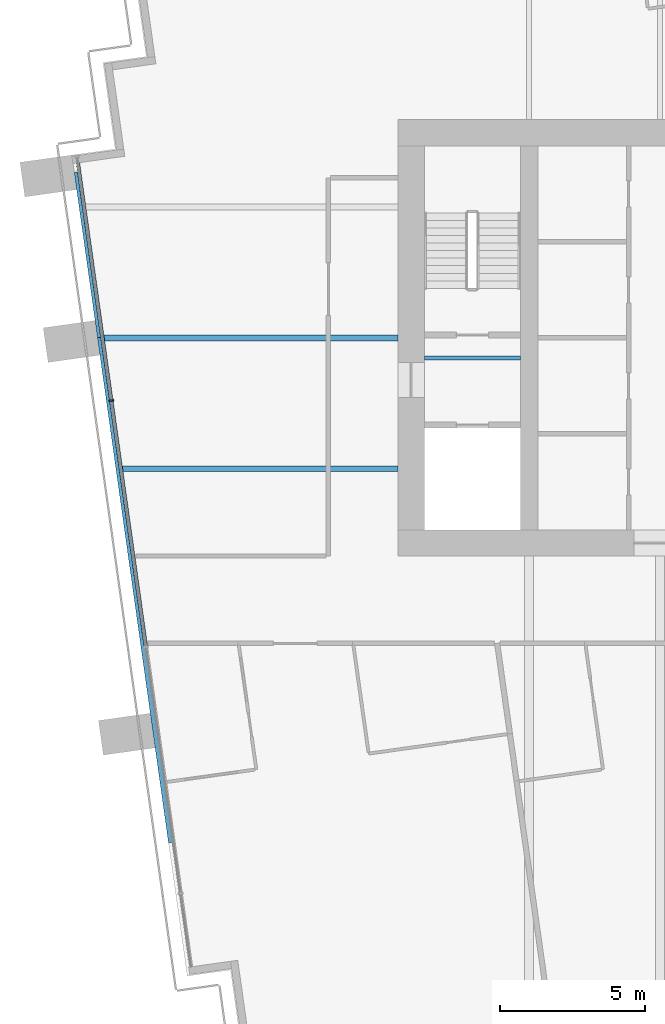
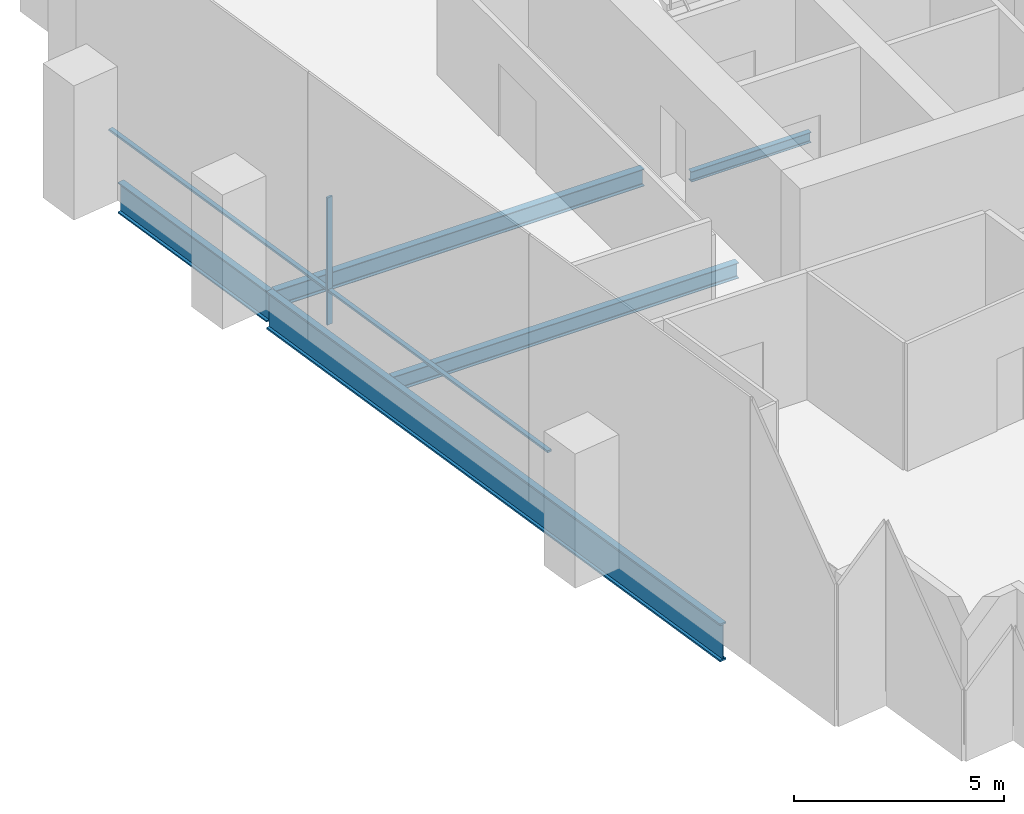
# One storey, part 3 of 17: 5 beams, 3 members, 1 element without a shape of its own.
"""IFC4 building model written with IfcOpenShell, lengths in metres."""

from ifc_helpers import new_model, si_unit, direction, frame, origin, origin_2d, place, context, subcontext, project, spatial, rectangle, i_section, extrude, material, material_profile, profile_set, type_object, element, aggregate, save


model = new_model("IFC4")

# Units and contexts
model_context = context("Model", 3, precision=1e-05, world=origin(), true_north=direction((0.0, 1.0)))
body_context = subcontext(model_context, "Body", "Model", "MODEL_VIEW")
ifc_project = project(units=[si_unit("LENGTHUNIT", "METRE"), si_unit("AREAUNIT", "SQUARE_METRE"), si_unit("VOLUMEUNIT", "CUBIC_METRE"), si_unit("PLANEANGLEUNIT", "RADIAN"), si_unit("MASSUNIT", "GRAM", prefix="KILO")], contexts=[model_context])

# Site, building, storey
site_placement = place(None, origin())
site = spatial("IfcSite", under=ifc_project, at=site_placement, CompositionType="ELEMENT")
building_placement = place(site_placement, origin())
building = spatial("IfcBuilding", under=site, at=building_placement, Name="Rattan Terrace Tower", CompositionType="ELEMENT")
storey_placement = place(building_placement, frame((0.0, 0.0, 168.5)))
storey = spatial("IfcBuildingStorey", under=building, at=storey_placement, Name="L38", CompositionType="ELEMENT", Elevation=168.5)

# Curtain wall, members
ifc_material_1 = material(Name="Aluminium and glass", Category="aluminium")
curtain_wall_type = type_object("IfcCurtainWallType", Name="Facade Unitised Curtain Wall", PredefinedType="NOTDEFINED", material=ifc_material_1)
curtain_wall_placement = place(storey_placement, origin())
curtain_wall = element("IfcCurtainWall", 1, at=curtain_wall_placement, inside=storey, type_object=curtain_wall_type, Name="Curtain wall L38-3", PredefinedType="NOTDEFINED")
ifc_material_2 = material(Name="Aluminium", Category="aluminium")
ifc_material_profile_1 = material_profile(ifc_material_2, rectangle(XDim=0.06005859375, YDim=0.159912109375, at=origin_2d()), Name="Aluminium 60x160")
ifc_profile_set_1 = profile_set([ifc_material_profile_1], Name="Aluminium")
member_type_1 = type_object("IfcMemberType", Name="Facade CW Mullion 60x160", PredefinedType="MULLION", material=ifc_profile_set_1)
member_1_placement = place(storey_placement, frame((-27.857666015625, -2.1591796875, 0.0), z_axis=(0.0, 0.0, 1.0), x_axis=(0.139190856006, -0.99026557327, 0.0)))
member_1 = element("IfcMember", 2, at=member_1_placement, type_object=member_type_1, Name="Mullion cwl-L38-003.2", PredefinedType="MULLION", context=body_context, shape_type="SweptSolid", body=[
    extrude(rectangle(XDim=0.06005859375, YDim=0.159912109375, at=origin_2d()), origin(), (0.0, 0.0, 1.0), 3.699951171875),
])
ifc_material_3 = material(Name="Aluminium", Category="aluminium")
ifc_material_profile_2 = material_profile(ifc_material_3, rectangle(XDim=0.1201171875, YDim=0.06005859375, at=origin_2d()), Name="Aluminium 120x60")
ifc_profile_set_2 = profile_set([ifc_material_profile_2], Name="Aluminium")
member_type_2 = type_object("IfcMemberType", Name="Facade CW Transom 120x60", PredefinedType="USERDEFINED", material=ifc_profile_set_2)
member_2_placement = place(storey_placement, frame((-29.032958984375, 6.20361328125, 1.0), z_axis=(0.139174814558, -0.99026782791, 0.0), x_axis=(0.99026782791, 0.139174814558, 0.0)))
member_2 = element("IfcMember", 3, at=member_2_placement, type_object=member_type_2, Name="Transom cwl-L38-003.1", ObjectType="TRANSOM", PredefinedType="USERDEFINED", context=body_context, shape_type="SweptSolid", body=[
    extrude(rectangle(XDim=0.1201171875, YDim=0.06005859375, at=origin_2d()), origin(), (0.0, 0.0, 1.0), 8.414794921875),
])
member_3_placement = place(storey_placement, frame((-27.853515625, -2.188720703125, 1.0), z_axis=(0.139206806234, -0.990263331189, 0.0), x_axis=(0.990263331189, 0.139206806234, 0.0)))
member_3 = element("IfcMember", 4, at=member_3_placement, type_object=member_type_2, Name="Transom cwl-L38-003.2", ObjectType="TRANSOM", PredefinedType="USERDEFINED", context=body_context, shape_type="SweptSolid", body=[
    extrude(rectangle(XDim=0.1201171875, YDim=0.06005859375, at=origin_2d()), origin(), (0.0, 0.0, 1.0), 8.490234375),
])
aggregate(curtain_wall, [member_1, member_2, member_3])

# Beams
ifc_material_4 = material(Name="Steel S460", Category="steel")
ifc_material_profile_3 = material_profile(ifc_material_4, i_section(OverallWidth=0.179931640625, OverallDepth=1.10009765625, WebThickness=0.01611328125, FlangeThickness=0.050048828125, at=origin_2d()), Name="PG 1100x180-16-50")
ifc_profile_set_3 = profile_set([ifc_material_profile_3], Name="Steel S460")
beam_type_1 = type_object("IfcBeamType", Name="Frame edge girder PG 1100x180-16-50", PredefinedType="SPANDREL", material=ifc_profile_set_3)
beam_1_placement = place(storey_placement, frame((-25.803955078125, -17.347900390625, -0.75), z_axis=(-0.13917502981, 0.990267797657, 0.0), x_axis=(-0.990267797657, -0.13917502981, 0.0)))
element("IfcBeam", 5, at=beam_1_placement, inside=storey, type_object=beam_type_1, Name="gdr-L38-003", PredefinedType="SPANDREL", context=body_context, shape_type="SweptSolid", body=[
    extrude(i_section(OverallWidth=0.179931640625, OverallDepth=1.10009765625, WebThickness=0.01611328125, FlangeThickness=0.050048828125, at=origin_2d()), origin(), (0.0, 0.0, 1.0), 17.531494140625),
])
ifc_material_5 = material(Name="Steel S460", Category="steel")
ifc_material_profile_4 = material_profile(ifc_material_5, i_section(OverallWidth=0.179931640625, OverallDepth=0.89990234375, WebThickness=0.013916015625, FlangeThickness=0.0400390625, at=origin_2d()), Name="PG 900x180-14-40")
ifc_profile_set_4 = profile_set([ifc_material_profile_4], Name="Steel S460")
beam_type_2 = type_object("IfcBeamType", Name="Frame edge girder PG 900x180-14-40", PredefinedType="SPANDREL", material=ifc_profile_set_4)
beam_2_placement = place(storey_placement, frame((-29.0439453125, 5.702880859375, -0.64990234375), z_axis=(0.139237904773, -0.990258958997, 0.0), x_axis=(0.990258958997, 0.139237904773, 0.0)))
element("IfcBeam", 6, at=beam_2_placement, inside=storey, type_object=beam_type_2, Name="gdr-L38-004", PredefinedType="SPANDREL", context=body_context, shape_type="SweptSolid", body=[
    extrude(i_section(OverallWidth=0.179931640625, OverallDepth=0.89990234375, WebThickness=0.013916015625, FlangeThickness=0.0400390625, at=origin_2d()), origin(), (0.0, 0.0, 1.0), 5.745849609375),
])
ifc_material_6 = material(Name="Steel S355", Category="steel")
ifc_material_profile_5 = material_profile(ifc_material_6, i_section(OverallWidth=0.14990234375, OverallDepth=0.300048828125, WebThickness=0.007080078125, FlangeThickness=0.0107421875, FilletRadius=0.014892578125, at=origin_2d()), Name="IPE 300")
ifc_profile_set_5 = profile_set([ifc_material_profile_5], Name="Steel S355")
beam_type_3 = type_object("IfcBeamType", Name="Frame floor beam IPE 300", PredefinedType="JOIST", material=ifc_profile_set_5)
beam_3_placement = place(storey_placement, frame((-17.10009765625, -0.695068359375, -0.35009765625), z_axis=(1.0, 0.0, 0.0), x_axis=(0.0, 1.0, 0.0)))
element("IfcBeam", 7, at=beam_3_placement, inside=storey, type_object=beam_type_3, Name="bm-L38-001", PredefinedType="JOIST", context=body_context, shape_type="SweptSolid", body=[
    extrude(i_section(OverallWidth=0.14990234375, OverallDepth=0.300048828125, WebThickness=0.007080078125, FlangeThickness=0.0107421875, FilletRadius=0.014892578125, at=origin_2d()), origin(), (0.0, 0.0, 1.0), 3.300048828125),
])
ifc_material_7 = material(Name="Steel S355", Category="steel")
ifc_material_profile_6 = material_profile(ifc_material_7, i_section(OverallWidth=0.18994140625, OverallDepth=0.449951171875, WebThickness=0.009521484375, FlangeThickness=0.0146484375, FilletRadius=0.02099609375, at=origin_2d()), Name="IPE 450")
ifc_profile_set_6 = profile_set([ifc_material_profile_6], Name="Steel S355")
beam_type_4 = type_object("IfcBeamType", Name="Frame floor beam IPE 450", PredefinedType="JOIST", material=ifc_profile_set_6)
beam_4_placement = place(storey_placement, frame((-27.5048828125, -4.5, -0.425048828125), z_axis=(1.0, 0.0, 0.0), x_axis=(0.0, 1.0, 0.0)))
element("IfcBeam", 8, at=beam_4_placement, inside=storey, type_object=beam_type_4, Name="bm-L38-010", PredefinedType="JOIST", context=body_context, shape_type="SweptSolid", body=[
    extrude(i_section(OverallWidth=0.18994140625, OverallDepth=0.449951171875, WebThickness=0.009521484375, FlangeThickness=0.0146484375, FilletRadius=0.02099609375, at=origin_2d()), origin(), (0.0, 0.0, 1.0), 9.5048828125),
])
ifc_material_8 = material(Name="Steel S355", Category="steel")
ifc_material_profile_7 = material_profile(ifc_material_8, i_section(OverallWidth=0.199951171875, OverallDepth=0.5, WebThickness=0.01025390625, FlangeThickness=0.01611328125, FilletRadius=0.02099609375, at=origin_2d()), Name="IPE 500")
ifc_profile_set_7 = profile_set([ifc_material_profile_7], Name="Steel S355")
beam_type_5 = type_object("IfcBeamType", Name="Frame floor beam IPE 500", PredefinedType="JOIST", material=ifc_profile_set_7)
beam_5_placement = place(storey_placement, frame((-28.136962890625, 0.0, -0.449951171875), z_axis=(1.0, 0.0, 0.0), x_axis=(0.0, 1.0, 0.0)))
element("IfcBeam", 9, at=beam_5_placement, inside=storey, type_object=beam_type_5, Name="bm-L38-012", PredefinedType="JOIST", context=body_context, shape_type="SweptSolid", body=[
    extrude(i_section(OverallWidth=0.199951171875, OverallDepth=0.5, WebThickness=0.01025390625, FlangeThickness=0.01611328125, FilletRadius=0.02099609375, at=origin_2d()), origin(), (0.0, 0.0, 1.0), 10.136962890625),
])

save(model, "model.ifc")
